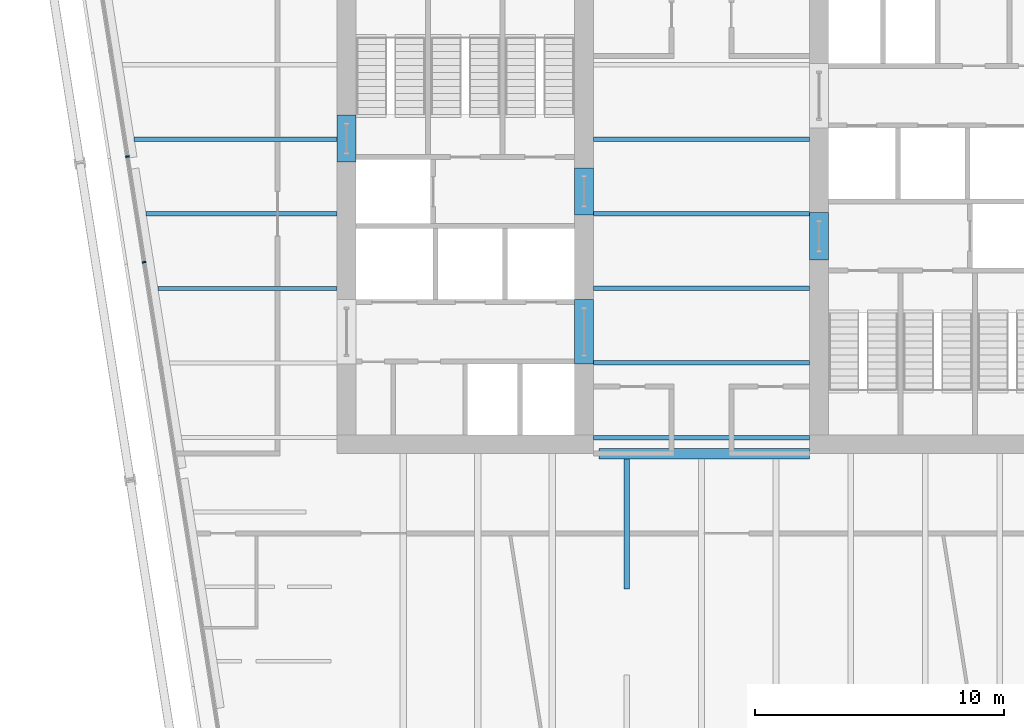
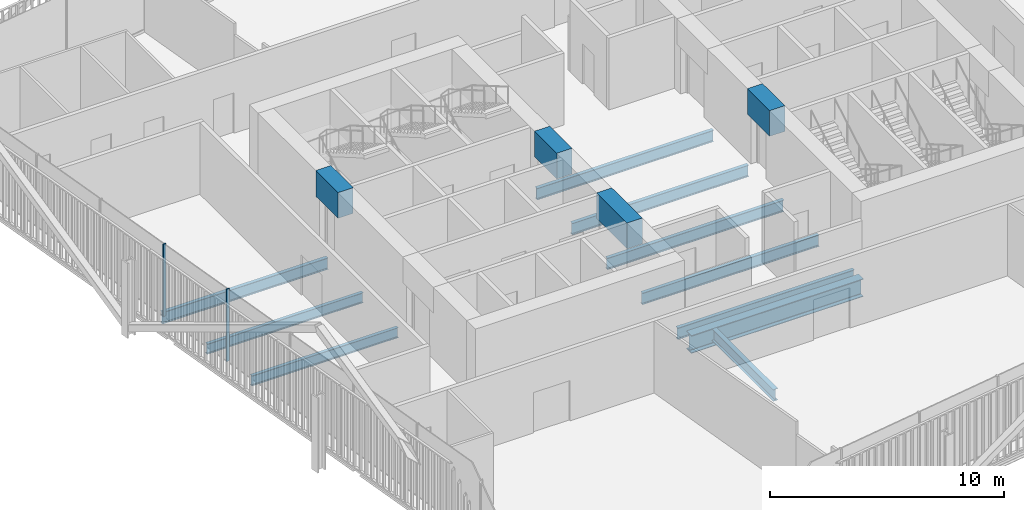
# One storey, part 4 of 19: 14 beams, 2 members, 1 element without a shape of its own.
"""IFC4 building model written with IfcOpenShell, lengths in metres."""

from ifc_helpers import new_model, si_unit, direction, frame, origin, origin_2d, place, context, subcontext, project, spatial, rectangle, i_section, extrude, material, layer, layer_set, material_profile, profile_set, type_object, element, aggregate, save


model = new_model("IFC4")

# Units and contexts
model_context = context("Model", 3, precision=1e-05, world=origin(), true_north=direction((0.0, 1.0)))
body_context = subcontext(model_context, "Body", "Model", "MODEL_VIEW")
ifc_project = project(units=[si_unit("LENGTHUNIT", "METRE"), si_unit("AREAUNIT", "SQUARE_METRE"), si_unit("VOLUMEUNIT", "CUBIC_METRE"), si_unit("PLANEANGLEUNIT", "RADIAN"), si_unit("MASSUNIT", "GRAM", prefix="KILO")], contexts=[model_context])

# Site, building, storey
site_placement = place(None, origin())
site = spatial("IfcSite", under=ifc_project, at=site_placement, CompositionType="ELEMENT")
building_placement = place(site_placement, origin())
building = spatial("IfcBuilding", under=site, at=building_placement, Name="Millrace Tower", CompositionType="ELEMENT")
storey_placement = place(building_placement, frame((0.0, 0.0, 129.5)))
storey = spatial("IfcBuildingStorey", under=building, at=storey_placement, Name="L28", CompositionType="ELEMENT", Elevation=129.5)

# Curtain wall, members
ifc_material_1 = material(Name="Aluminium and glass", Category="aluminium")
ifc_layer = layer(ifc_material_1, 0.14990234375)
ifc_layer_set = layer_set([ifc_layer], Name="Aluminium and glass")
curtain_wall_type = type_object("IfcCurtainWallType", Name="CW-1 office vision curtain wall", PredefinedType="NOTDEFINED", material=ifc_layer_set)
curtain_wall_placement = place(storey_placement, origin())
curtain_wall = element("IfcCurtainWall", 1, at=curtain_wall_placement, inside=storey, type_object=curtain_wall_type, Name="Curtain wall C-F08 L28", PredefinedType="NOTDEFINED")
ifc_material_2 = material(Name="Aluminium", Category="aluminium")
ifc_material_profile_1 = material_profile(ifc_material_2, rectangle(XDim=0.06494140625, YDim=0.14990234375, at=origin_2d()))
ifc_profile_set_1 = profile_set([ifc_material_profile_1], Name="Aluminium")
member_type = type_object("IfcMemberType", Name="CW-1 office vision curtain wall mullion", PredefinedType="MULLION", material=ifc_profile_set_1)
member_1_placement = place(storey_placement, frame((-23.088623046875, 2.300537109375, 0.139892578125), z_axis=(0.0, 0.0, 1.0), x_axis=(0.15643447328, -0.98768833929, 0.0)))
member_1 = element("IfcMember", 2, at=member_1_placement, type_object=member_type, Name="CW1 mullion C-F08.4", PredefinedType="MULLION", context=body_context, shape_type="SweptSolid", body=[
    extrude(rectangle(XDim=0.06494140625, YDim=0.14990234375, at=origin_2d()), origin(), (0.0, 0.0, 1.0), 3.760009765625),
])
member_2_placement = place(storey_placement, frame((-22.416015625, -1.946533203125, 0.139892578125), z_axis=(0.0, 0.0, 1.0), x_axis=(0.15643447328, -0.98768833929, 0.0)))
member_2 = element("IfcMember", 3, at=member_2_placement, type_object=member_type, Name="CW1 mullion C-F08.5", PredefinedType="MULLION", context=body_context, shape_type="SweptSolid", body=[
    extrude(rectangle(XDim=0.06494140625, YDim=0.14990234375, at=origin_2d()), origin(), (0.0, 0.0, 1.0), 3.760009765625),
])
aggregate(curtain_wall, [member_1, member_2])

# Beams
ifc_material_3 = material(Name="Concrete C70", Category="concrete")
ifc_material_profile_2 = material_profile(ifc_material_3, rectangle(XDim=0.75, YDim=1.340087890625, at=origin_2d()))
ifc_profile_set_2 = profile_set([ifc_material_profile_2], Name="Concrete C70")
beam_type_1 = type_object("IfcBeamType", Name="Coupling beam 750 x 1340 Concrete C70, 1300 opening", PredefinedType="BEAM", material=ifc_profile_set_2)
beam_1_placement = place(storey_placement, frame((-14.27490234375, 2.080078125, 3.070068359375), z_axis=(0.0, 1.0, 0.0), x_axis=(-1.0, 0.0, 0.0)))
element("IfcBeam", 4, at=beam_1_placement, inside=storey, type_object=beam_type_1, Name="Coupling beam W L28", PredefinedType="BEAM", context=body_context, shape_type="SweptSolid", body=[
    extrude(rectangle(XDim=0.75, YDim=1.340087890625, at=origin_2d()), origin(), (0.0, 0.0, 1.0), 1.89990234375),
])
for number, where, z_axis, x_axis, name in (
    (5, (-4.72509765625, -0.050048828125, 3.070068359375), (0.0, 1.0, 0.0), (-1.0, 0.0, 0.0), "Coupling beam W L28"),
    (6, (4.72509765625, 0.050048828125, 3.070068359375), (0.0, -1.0, 0.0), (1.0, 0.0, 0.0), "Coupling beam E L28"),
):
    element("IfcBeam", number, at=place(storey_placement, frame(where, z_axis=z_axis, x_axis=x_axis)), inside=storey, type_object=beam_type_1, Name=name, PredefinedType="BEAM", context=body_context, shape_type="SweptSolid", body=[
        extrude(rectangle(XDim=0.75, YDim=1.340087890625, at=origin_2d()), origin(), (0.0, 0.0, 1.0), 1.900146484375),
    ])
ifc_material_4 = material(Name="Concrete C70", Category="concrete")
ifc_material_profile_3 = material_profile(ifc_material_4, rectangle(XDim=0.75, YDim=1.340087890625, at=origin_2d()))
ifc_profile_set_3 = profile_set([ifc_material_profile_3], Name="Concrete C70")
beam_type_2 = type_object("IfcBeamType", Name="Coupling beam 750 x 1340 Concrete C70, 2000 opening", PredefinedType="BEAM", material=ifc_profile_set_3)
beam_2_placement = place(storey_placement, frame((-4.72509765625, -6.050048828125, 3.070068359375), z_axis=(0.0, 1.0, 0.0), x_axis=(-1.0, 0.0, 0.0)))
element("IfcBeam", 7, at=beam_2_placement, inside=storey, type_object=beam_type_2, Name="Coupling beam W L28", PredefinedType="BEAM", context=body_context, shape_type="SweptSolid", body=[
    extrude(rectangle(XDim=0.75, YDim=1.340087890625, at=origin_2d()), origin(), (0.0, 0.0, 1.0), 2.60009765625),
])
ifc_material_5 = material(Name="Steel ASTM A992 Grade 50", Category="steel")
ifc_material_profile_4 = material_profile(ifc_material_5, i_section(OverallWidth=0.1650390625, OverallDepth=0.52587890625, WebThickness=0.0087890625, FlangeThickness=0.011474609375, FilletRadius=0.0126953125, at=origin_2d()))
ifc_profile_set_4 = profile_set([ifc_material_profile_4], Name="Steel ASTM A992 Grade 50")
beam_type_3 = type_object("IfcBeamType", Name="Floor beam W21x44", PredefinedType="JOIST", material=ifc_profile_set_4)
beam_3_placement = place(storey_placement, frame((-21.862060546875, -3.0, -0.4228515625), z_axis=(1.0, 0.0, 0.0), x_axis=(0.0, 1.0, 0.0)))
element("IfcBeam", 8, at=beam_3_placement, inside=storey, type_object=beam_type_3, Name="BM-C-L28-S1-S017", PredefinedType="JOIST", context=body_context, shape_type="SweptSolid", body=[
    extrude(i_section(OverallWidth=0.1650390625, OverallDepth=0.52587890625, WebThickness=0.0087890625, FlangeThickness=0.011474609375, FilletRadius=0.0126953125, at=origin_2d()), origin(), (0.0, 0.0, 1.0), 7.212158203125),
])
beam_4_placement = place(storey_placement, frame((-22.337158203125, 0.0, -0.4228515625), z_axis=(1.0, 0.0, 0.0), x_axis=(0.0, 1.0, 0.0)))
element("IfcBeam", 9, at=beam_4_placement, inside=storey, type_object=beam_type_3, Name="BM-C-L28-S1-S020", PredefinedType="JOIST", context=body_context, shape_type="SweptSolid", body=[
    extrude(i_section(OverallWidth=0.1650390625, OverallDepth=0.52587890625, WebThickness=0.0087890625, FlangeThickness=0.011474609375, FilletRadius=0.0126953125, at=origin_2d()), origin(), (0.0, 0.0, 1.0), 7.687255859375),
])
ifc_material_6 = material(Name="Steel ASTM A992 Grade 50", Category="steel")
ifc_material_profile_5 = material_profile(ifc_material_6, i_section(OverallWidth=0.177978515625, OverallDepth=0.599365234375, WebThickness=0.010009765625, FlangeThickness=0.012939453125, FilletRadius=0.012939453125, at=origin_2d()))
ifc_profile_set_5 = profile_set([ifc_material_profile_5], Name="Steel ASTM A992 Grade 50")
beam_type_4 = type_object("IfcBeamType", Name="Floor beam W24x55", PredefinedType="JOIST", material=ifc_profile_set_5)
for number, where, z_axis, x_axis, name in (
    (10, (-4.35009765625, -9.0, -0.459716796875), (1.0, 0.0, 0.0), (0.0, 1.0, 0.0), "BM-C-L28-S1-S010"),
    (11, (-4.35009765625, -6.0, -0.459716796875), (1.0, 0.0, 0.0), (0.0, 1.0, 0.0), "BM-C-L28-S1-S013"),
    (12, (-4.35009765625, -3.0, -0.459716796875), (1.0, 0.0, 0.0), (0.0, 1.0, 0.0), "BM-C-L28-S1-S016"),
    (13, (-4.35009765625, 0.0, -0.459716796875), (1.0, 0.0, 0.0), (0.0, 1.0, 0.0), "BM-C-L28-S1-S019"),
    (14, (-4.35009765625, 3.0, -0.459716796875), (1.0, 0.0, 0.0), (0.0, 1.0, 0.0), "BM-C-L28-S1-S022"),
):
    element("IfcBeam", number, at=place(storey_placement, frame(where, z_axis=z_axis, x_axis=x_axis)), inside=storey, type_object=beam_type_4, Name=name, PredefinedType="JOIST", context=body_context, shape_type="SweptSolid", body=[
        extrude(i_section(OverallWidth=0.177978515625, OverallDepth=0.599365234375, WebThickness=0.010009765625, FlangeThickness=0.012939453125, FilletRadius=0.012939453125, at=origin_2d()), origin(), (0.0, 0.0, 1.0), 8.7001953125),
    ])
beam_5_placement = place(storey_placement, frame((-22.812255859375, 3.0, -0.459716796875), z_axis=(1.0, 0.0, 0.0), x_axis=(0.0, 1.0, 0.0)))
element("IfcBeam", 15, at=beam_5_placement, inside=storey, type_object=beam_type_4, Name="BM-C-L28-S1-S023", PredefinedType="JOIST", context=body_context, shape_type="SweptSolid", body=[
    extrude(i_section(OverallWidth=0.177978515625, OverallDepth=0.599365234375, WebThickness=0.010009765625, FlangeThickness=0.012939453125, FilletRadius=0.012939453125, at=origin_2d()), origin(), (0.0, 0.0, 1.0), 8.162353515625),
])
ifc_material_7 = material(Name="Steel ASTM A992 Grade 50", Category="steel")
ifc_material_profile_6 = material_profile(ifc_material_7, i_section(OverallWidth=0.228271484375, OverallDepth=0.607177734375, WebThickness=0.01123046875, FlangeThickness=0.017333984375, FilletRadius=0.0126953125, at=origin_2d()))
ifc_profile_set_6 = profile_set([ifc_material_profile_6], Name="Steel ASTM A992 Grade 50")
beam_type_5 = type_object("IfcBeamType", Name="Floor beam W24x76", PredefinedType="JOIST", material=ifc_profile_set_6)
beam_6_placement = place(storey_placement, frame((-3.0, -15.08544921875, -0.463623046875), z_axis=(0.0, 1.0, 0.0), x_axis=(-1.0, 0.0, 0.0)))
element("IfcBeam", 16, at=beam_6_placement, inside=storey, type_object=beam_type_5, Name="BM-C-L28-S1-S046-b", PredefinedType="JOIST", context=body_context, shape_type="SweptSolid", body=[
    extrude(i_section(OverallWidth=0.228271484375, OverallDepth=0.607177734375, WebThickness=0.01123046875, FlangeThickness=0.017333984375, FilletRadius=0.0126953125, at=origin_2d()), origin(), (0.0, 0.0, 1.0), 5.225830078125),
])
ifc_material_8 = material(Name="Steel ASTM A992 Grade 50", Category="steel")
ifc_material_profile_7 = material_profile(ifc_material_8, i_section(OverallWidth=0.419189453125, OverallDepth=0.927001953125, WebThickness=0.019287109375, FlangeThickness=0.031982421875, FilletRadius=0.024169921875, at=origin_2d()))
ifc_profile_set_7 = profile_set([ifc_material_profile_7], Name="Steel ASTM A992 Grade 50")
beam_type_6 = type_object("IfcBeamType", Name="Girder short span W36x231", PredefinedType="BEAM", material=ifc_profile_set_7)
beam_7_placement = place(storey_placement, frame((-4.12353515625, -9.64990234375, -0.62353515625), z_axis=(1.0, 0.0, 0.0), x_axis=(0.0, 1.0, 0.0)))
element("IfcBeam", 17, at=beam_7_placement, inside=storey, type_object=beam_type_6, Name="BM-C-L28-S1-G062", PredefinedType="BEAM", context=body_context, shape_type="SweptSolid", body=[
    extrude(i_section(OverallWidth=0.419189453125, OverallDepth=0.927001953125, WebThickness=0.019287109375, FlangeThickness=0.031982421875, FilletRadius=0.024169921875, at=origin_2d()), origin(), (0.0, 0.0, 1.0), 8.4736328125),
])

save(model, "model.ifc")
